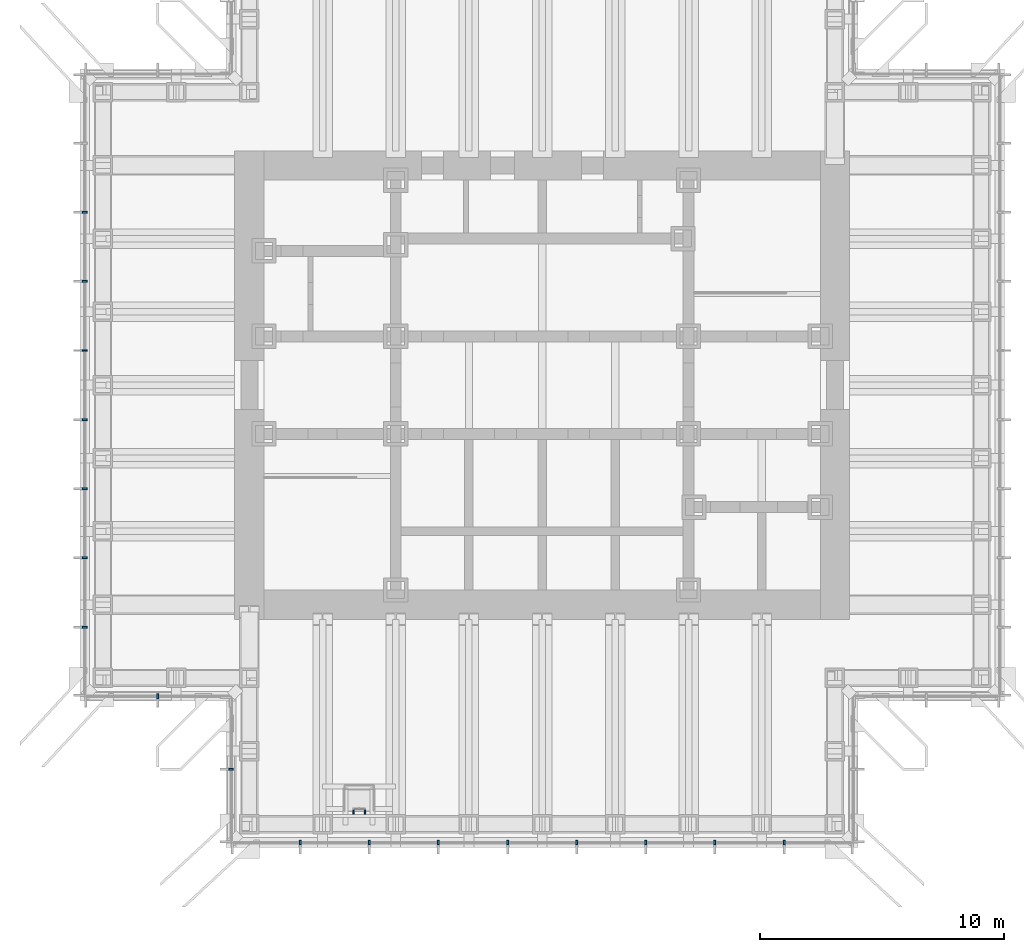
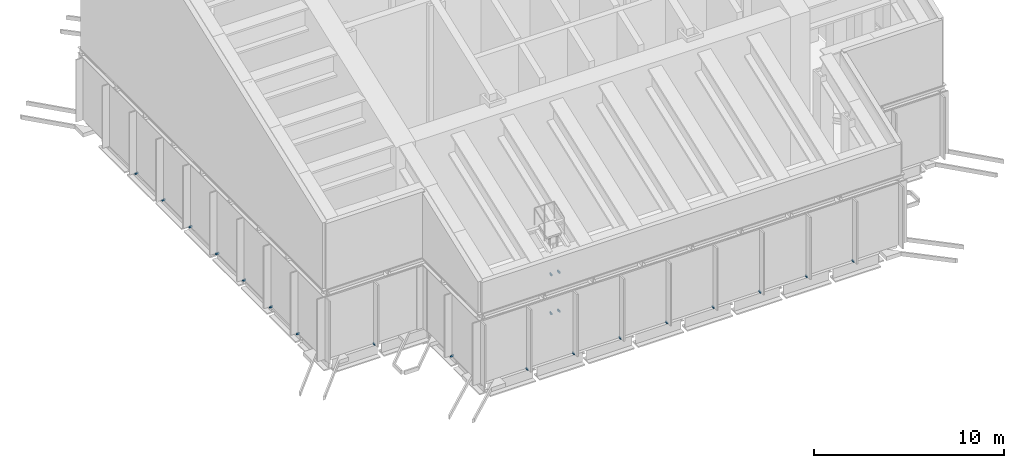
# One storey, part 12 of 15: 21 discrete accessories.
"""IFC4 building model written with IfcOpenShell, lengths in metres."""

from ifc_helpers import new_model, si_unit, direction, frame, origin, origin_2d, place, context, subcontext, project, spatial, rectangle, extrude, element, save


model = new_model("IFC4")

# Units and contexts
model_context = context("Model", 3, precision=1e-05, world=origin(), true_north=direction((0.0, 1.0)))
body_context = subcontext(model_context, "Body", "Model", "MODEL_VIEW")
ifc_project = project(units=[si_unit("LENGTHUNIT", "METRE"), si_unit("AREAUNIT", "SQUARE_METRE"), si_unit("VOLUMEUNIT", "CUBIC_METRE"), si_unit("PLANEANGLEUNIT", "RADIAN"), si_unit("MASSUNIT", "GRAM", prefix="KILO")], contexts=[model_context])

# Site, building, storey
site_placement = place(None, origin())
site = spatial("IfcSite", under=ifc_project, at=site_placement, CompositionType="ELEMENT")
building_placement = place(site_placement, origin())
building = spatial("IfcBuilding", under=site, at=building_placement, Name="Daluyong Arena Tower", CompositionType="ELEMENT")
storey_placement = place(building_placement, frame((0.0, 0.0, 285.699951171875)))
storey = spatial("IfcBuildingStorey", under=building, at=storey_placement, Name="L64", CompositionType="ELEMENT", Elevation=285.699951171875)

# Discrete accessories
for number, where, z_axis, x_axis, name in (
    (1, (46.083251953125, 61.25, -0.10009765625), (0.0, 0.0, 1.0), (1.0, 0.0, 0.0), "crown louvre curtain wall L64 S anchor bracket 2"),
    (2, (48.916748046875, 61.25, -0.10009765625), (0.0, 0.0, 1.0), (1.0, 0.0, 0.0), "crown louvre curtain wall L64 S anchor bracket 3"),
    (3, (51.75, 61.25, -0.10009765625), (0.0, 0.0, 1.0), (1.0, 0.0, 0.0), "crown louvre curtain wall L64 S anchor bracket 4"),
    (4, (54.583251953125, 61.25, -0.10009765625), (0.0, 0.0, 1.0), (1.0, 0.0, 0.0), "crown louvre curtain wall L64 S anchor bracket 5"),
    (5, (57.416748046875, 61.25, -0.10009765625), (0.0, 0.0, 1.0), (1.0, 0.0, 0.0), "crown louvre curtain wall L64 S anchor bracket 6"),
    (6, (60.25, 61.25, -0.10009765625), (0.0, 0.0, 1.0), (1.0, 0.0, 0.0), "crown louvre curtain wall L64 S anchor bracket 7"),
    (7, (63.083251953125, 61.25, -0.10009765625), (0.0, 0.0, 1.0), (1.0, 0.0, 0.0), "crown louvre curtain wall L64 S anchor bracket 8"),
    (8, (65.916748046875, 61.25, -0.10009765625), (0.0, 0.0, 1.0), (1.0, 0.0, 0.0), "crown louvre curtain wall L64 S anchor bracket 9"),
    (9, (37.25, 87.083251953125, -0.10009765625), (0.0, 0.0, 1.0), (0.0, -1.0, 0.0), "crown louvre curtain wall L64 W anchor bracket 3"),
    (10, (37.25, 84.25, -0.10009765625), (0.0, 0.0, 1.0), (0.0, -1.0, 0.0), "crown louvre curtain wall L64 W anchor bracket 4"),
    (11, (37.25, 81.416748046875, -0.10009765625), (0.0, 0.0, 1.0), (0.0, -1.0, 0.0), "crown louvre curtain wall L64 W anchor bracket 5"),
    (12, (37.25, 78.583251953125, -0.10009765625), (0.0, 0.0, 1.0), (0.0, -1.0, 0.0), "crown louvre curtain wall L64 W anchor bracket 6"),
    (13, (37.25, 75.75, -0.10009765625), (0.0, 0.0, 1.0), (0.0, -1.0, 0.0), "crown louvre curtain wall L64 W anchor bracket 7"),
    (14, (37.25, 72.916748046875, -0.10009765625), (0.0, 0.0, 1.0), (0.0, -1.0, 0.0), "crown louvre curtain wall L64 W anchor bracket 8"),
    (15, (37.25, 70.083251953125, -0.10009765625), (0.0, 0.0, 1.0), (0.0, -1.0, 0.0), "crown louvre curtain wall L64 W anchor bracket 9"),
    (16, (40.25, 67.25, -0.10009765625), (0.0, 0.0, 1.0), (1.0, 0.0, 0.0), "crown louvre curtain wall L64 SW-S anchor bracket 2"),
    (17, (43.25, 64.25, -0.10009765625), (0.0, 0.0, 1.0), (0.0, -1.0, 0.0), "crown louvre curtain wall L64 SW-W anchor bracket 2"),
):
    element("IfcDiscreteAccessory", number, at=place(storey_placement, frame(where, z_axis=z_axis, x_axis=x_axis)), inside=storey, Name=name, PredefinedType="BRACKET", context=body_context, shape_type="SweptSolid", body=[
        extrude(rectangle(XDim=0.080078125, YDim=0.199951171875, at=origin_2d()), origin(), (0.0, 0.0, 1.0), 0.10009765625),
    ])
for number, where, z_axis, x_axis, name in (
    (18, (48.26708984375, 62.5, 1.949951171875), (0.0, 0.0, 1.0), (1.0, 0.0, 0.0), "crown roof access ladder stand-off bracket"),
    (19, (48.73291015625, 62.5, 1.949951171875), (0.0, 0.0, 1.0), (1.0, 0.0, 0.0), "crown roof access ladder stand-off bracket"),
    (20, (48.26708984375, 62.5, 4.449951171875), (0.0, 0.0, 1.0), (1.0, 0.0, 0.0), "crown roof access ladder stand-off bracket"),
    (21, (48.73291015625, 62.5, 4.449951171875), (0.0, 0.0, 1.0), (1.0, 0.0, 0.0), "crown roof access ladder stand-off bracket"),
):
    element("IfcDiscreteAccessory", number, at=place(storey_placement, frame(where, z_axis=z_axis, x_axis=x_axis)), inside=storey, Name=name, PredefinedType="BRACKET", context=body_context, shape_type="SweptSolid", body=[
        extrude(rectangle(XDim=0.06005859375, YDim=0.199951171875, at=origin_2d()), origin(), (0.0, 0.0, 1.0), 0.10009765625),
    ])

save(model, "model.ifc")
